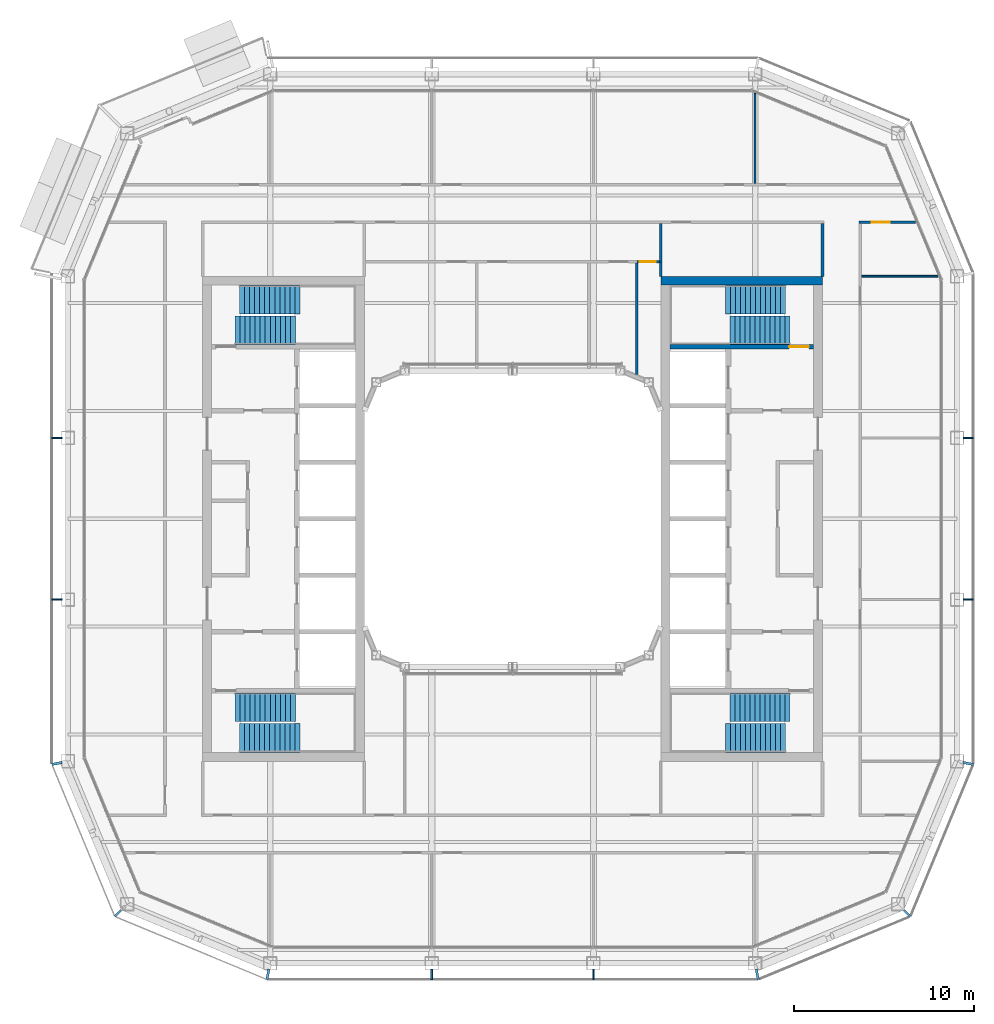
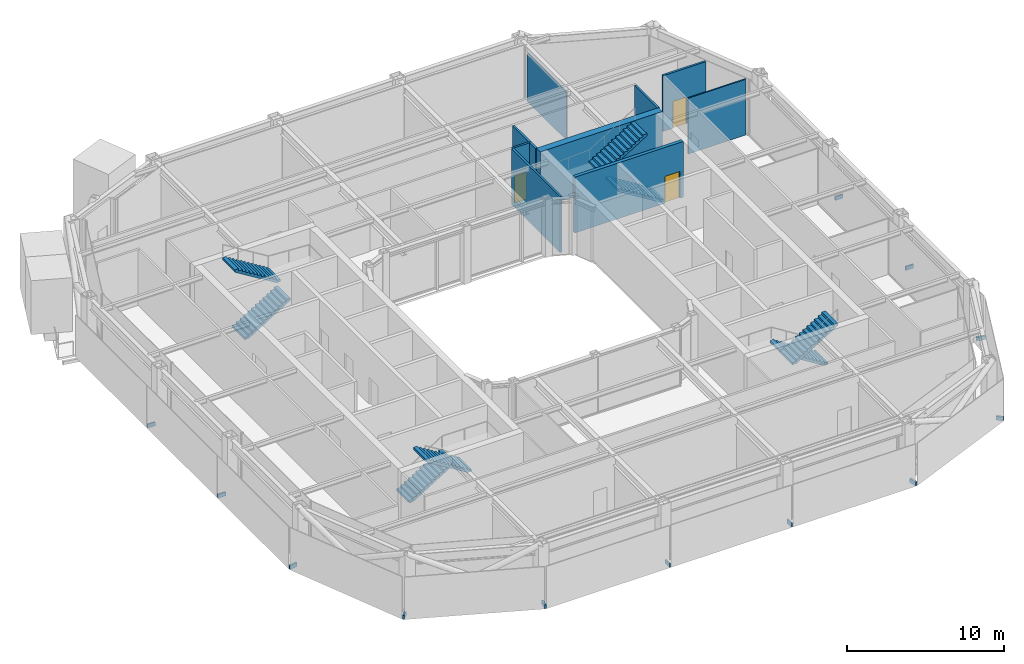
# One storey, part 14 of 21: 12 discrete accessories, 10 walls, 8 stair flights, 3 doors, 3 openings, 4 elements without a shape of their own.
"""IFC4 building model written with IfcOpenShell, lengths in metres."""

from ifc_helpers import new_model, si_unit, direction, frame, frame_2d, origin, origin_2d, place, context, subcontext, project, spatial, polyline, rectangle, outline, extrude, material, layer, layer_set, type_object, element, fill, aggregate, save


model = new_model("IFC4")

# Units and contexts
model_context = context("Model", 3, precision=1e-05, world=origin(), true_north=direction((0.0, 1.0)))
body_context = subcontext(model_context, "Body", "Model", "MODEL_VIEW")
ifc_project = project(units=[si_unit("LENGTHUNIT", "METRE"), si_unit("AREAUNIT", "SQUARE_METRE"), si_unit("VOLUMEUNIT", "CUBIC_METRE"), si_unit("PLANEANGLEUNIT", "RADIAN"), si_unit("MASSUNIT", "GRAM", prefix="KILO")], contexts=[model_context])

# Site, building, storey
site_placement = place(None, origin())
site = spatial("IfcSite", under=ifc_project, at=site_placement, CompositionType="ELEMENT")
building_placement = place(site_placement, origin())
building = spatial("IfcBuilding", under=site, at=building_placement, Name="Siwar Civic Tower", CompositionType="ELEMENT")
storey_placement = place(building_placement, frame((0.0, 0.0, 294.199951171875)))
storey = spatial("IfcBuildingStorey", under=building, at=storey_placement, Name="L63", CompositionType="ELEMENT", Elevation=294.199951171875)

# Wall, opening, door
ifc_material_1 = material(Name="Gypsum board on steel studs", Category="steel")
ifc_layer_1 = layer(ifc_material_1, 0.14990234375)
ifc_layer_set_1 = layer_set([ifc_layer_1], Name="Gypsum board on steel studs")
wall_type_1 = type_object("IfcWallType", Name="COMPARTMENT PARTITION 150 EI 60", PredefinedType="PARTITIONING", material=ifc_layer_set_1)
wall_1_placement = place(storey_placement, frame((6.919921875, 14.300048828125, 0.0), z_axis=(0.0, 0.0, 1.0), x_axis=(1.0, 0.0, 0.0)))
wall_1 = element("IfcWall", 1, at=wall_1_placement, inside=storey, type_object=wall_type_1, Name="L63/wall/P10", PredefinedType="PARTITIONING", context=body_context, shape_type="SweptSolid", body=[
    extrude(rectangle(XDim=1.255126953125, YDim=0.14990234375, at=frame_2d((0.62744140625, 0.0))), origin(), (0.0, 0.0, 1.0), 4.35009765625),
])
opening_1_placement = place(wall_1_placement, frame((0.14990234375, 0.0, 0.0)))
opening_1 = element("IfcOpeningElement", 2, at=opening_1_placement, cuts=wall_1, Name="Opening D4", PredefinedType="OPENING", context=body_context, shape_type="SweptSolid", body=[
    extrude(rectangle(XDim=0.89990234375, YDim=2.10009765625, at=frame_2d((0.449951171875, 1.050048828125))), frame((0.0, 0.0849609375, 0.0), z_axis=(0.0, -1.0, 0.0), x_axis=(1.0, 0.0, 0.0)), (0.0, 0.0, 1.0), 0.169921875),
])
ifc_material_2 = material(Name="Timber, painted", Category="wood")
door_type_1 = type_object("IfcDoorType", Name="DOOR 900 X 2100 FD60", OperationType="SINGLE_SWING_LEFT", PredefinedType="DOOR", material=ifc_material_2)
door_1_placement = place(opening_1_placement, origin())
door_1 = element("IfcDoor", 3, at=door_1_placement, inside=storey, type_object=door_type_1, Name="L63-D15", OperationType="SINGLE_SWING_LEFT", OverallHeight=2.10009765625, OverallWidth=0.89990234375, PredefinedType="DOOR", context=body_context, shape_type="SweptSolid", body=[
    extrude(rectangle(XDim=0.89990234375, YDim=2.10009765625, at=frame_2d((0.449951171875, 1.050048828125))), frame((0.0, 0.02490234375, 0.0), z_axis=(0.0, -1.0, 0.0), x_axis=(1.0, 0.0, 0.0)), (0.0, 0.0, 1.0), 0.050048828125),
])
fill(opening_1, door_1)

# Walls
wall_2_placement = place(storey_placement, frame((6.919921875, 8.029052734375, 0.0), z_axis=(0.0, 0.0, 1.0), x_axis=(0.0, 1.0, 0.0)))
element("IfcWall", 4, at=wall_2_placement, inside=storey, type_object=wall_type_1, Name="L63/wall/P29", PredefinedType="PARTITIONING", context=body_context, shape_type="SweptSolid", body=[
    extrude(rectangle(XDim=6.196044921875, YDim=0.14990234375, at=frame_2d((3.09814453125, 0.0))), origin(), (0.0, 0.0, 1.0), 4.35009765625),
])
wall_3_placement = place(storey_placement, frame((8.25, 13.5, 0.0), z_axis=(0.0, 0.0, 1.0), x_axis=(0.0, 1.0, 0.0)))
element("IfcWall", 5, at=wall_3_placement, inside=storey, type_object=wall_type_1, Name="L63/wall/P32", PredefinedType="PARTITIONING", context=body_context, shape_type="SweptSolid", body=[
    extrude(rectangle(XDim=0.800048828125, YDim=0.14990234375, at=frame_2d((0.39990234375, 0.0))), origin(), (0.0, 0.0, 1.0), 4.35009765625),
])

# Wall, opening, door
ifc_material_3 = material(Name="Concrete C60/75", Category="concrete")
ifc_layer_2 = layer(ifc_material_3, 0.25)
ifc_layer_set_2 = layer_set([ifc_layer_2], Name="Concrete C60/75")
wall_type_2 = type_object("IfcWallType", Name="CORE-WALL-RC250", PredefinedType="SHEAR", material=ifc_layer_set_2)
wall_4_placement = place(storey_placement, frame((8.75, 9.574951171875, 0.0), z_axis=(0.0, 0.0, 1.0), x_axis=(1.0, 0.0, 0.0)))
wall_4 = element("IfcWall", 6, at=wall_4_placement, inside=storey, type_object=wall_type_2, Name="Core wall E", PredefinedType="SHEAR", context=body_context, shape_type="SweptSolid", body=[
    extrude(rectangle(XDim=8.0, YDim=0.25, at=frame_2d((4.0, 0.0))), origin(), (0.0, 0.0, 1.0), 4.35009765625),
])
opening_2_placement = place(wall_4_placement, frame((6.64990234375, 0.0, 0.0)))
opening_2 = element("IfcOpeningElement", 7, at=opening_2_placement, cuts=wall_4, Name="Opening L63-CE03", PredefinedType="OPENING", context=body_context, shape_type="SweptSolid", body=[
    extrude(rectangle(XDim=1.10009765625, YDim=2.10009765625, at=frame_2d((0.550048828125, 1.050048828125))), frame((0.0, 0.135009765625, 0.0), z_axis=(0.0, -1.0, 0.0), x_axis=(1.0, 0.0, 0.0)), (0.0, 0.0, 1.0), 0.27001953125),
])
ifc_material_4 = material(Name="Steel door leaf", Category="steel")
door_type_2 = type_object("IfcDoorType", Name="CORE-DOOR-FD60S", OperationType="SINGLE_SWING_LEFT", PredefinedType="DOOR", material=ifc_material_4)
door_2_placement = place(opening_2_placement, origin())
door_2 = element("IfcDoor", 8, at=door_2_placement, inside=storey, type_object=door_type_2, Name="Stair door L63-CE03", OperationType="SINGLE_SWING_LEFT", OverallHeight=2.10009765625, OverallWidth=1.10009765625, PredefinedType="DOOR", context=body_context, shape_type="SweptSolid", body=[
    extrude(rectangle(XDim=1.10009765625, YDim=2.10009765625, at=frame_2d((0.550048828125, 1.050048828125))), frame((0.0, 0.02490234375, 0.0), z_axis=(0.0, -1.0, 0.0), x_axis=(1.0, 0.0, 0.0)), (0.0, 0.0, 1.0), 0.050048828125),
])
fill(opening_2, door_2)

# Wall
ifc_material_5 = material(Name="Concrete C60/75", Category="concrete")
ifc_layer_3 = layer(ifc_material_5, 0.5)
ifc_layer_set_3 = layer_set([ifc_layer_3], Name="Concrete C60/75")
wall_type_3 = type_object("IfcWallType", Name="CORE-WALL-RC500", PredefinedType="SHEAR", material=ifc_layer_set_3)
wall_5_placement = place(storey_placement, frame((8.25, 13.25, 0.0), z_axis=(0.0, 0.0, 1.0), x_axis=(1.0, 0.0, 0.0)))
element("IfcWall", 9, at=wall_5_placement, inside=storey, type_object=wall_type_3, Name="Core wall E", PredefinedType="SHEAR", context=body_context, shape_type="SweptSolid", body=[
    extrude(rectangle(XDim=9.0, YDim=0.5, at=frame_2d((4.5, 0.0))), origin(), (0.0, 0.0, 1.0), 4.35009765625),
])

# Wall, opening, door
ifc_material_6 = material(Name="Gypsum board on steel studs", Category="steel")
ifc_layer_4 = layer(ifc_material_6, 0.14990234375)
ifc_layer_set_4 = layer_set([ifc_layer_4], Name="Gypsum board on steel studs")
wall_type_4 = type_object("IfcWallType", Name="CORRIDOR PARTITION 150 EI 30", PredefinedType="PARTITIONING", material=ifc_layer_set_4)
wall_6_placement = place(storey_placement, frame((19.27490234375, 16.5, 0.0), z_axis=(0.0, 0.0, 1.0), x_axis=(1.0, 0.0, 0.0)))
wall_6 = element("IfcWall", 10, at=wall_6_placement, inside=storey, type_object=wall_type_4, Name="L63/wall/P13", PredefinedType="PARTITIONING", context=body_context, shape_type="SweptSolid", body=[
    extrude(rectangle(XDim=3.1611328125, YDim=0.14990234375, at=frame_2d((1.58056640625, 0.0))), origin(), (0.0, 0.0, 1.0), 4.35009765625),
])
opening_3_placement = place(wall_6_placement, frame((0.72509765625, 0.0, 0.0)))
opening_3 = element("IfcOpeningElement", 11, at=opening_3_placement, cuts=wall_6, Name="Opening D1", PredefinedType="OPENING", context=body_context, shape_type="SweptSolid", body=[
    extrude(rectangle(XDim=1.0, YDim=2.10009765625, at=frame_2d((0.5, 1.050048828125))), frame((0.0, 0.0849609375, 0.0), z_axis=(0.0, -1.0, 0.0), x_axis=(1.0, 0.0, 0.0)), (0.0, 0.0, 1.0), 0.169921875),
])
ifc_material_7 = material(Name="Timber, painted", Category="wood")
door_type_3 = type_object("IfcDoorType", Name="DOOR 1000 X 2100 FD30", OperationType="SINGLE_SWING_LEFT", PredefinedType="DOOR", material=ifc_material_7)
door_3_placement = place(opening_3_placement, origin())
door_3 = element("IfcDoor", 12, at=door_3_placement, inside=storey, type_object=door_type_3, Name="L63-D27", OperationType="SINGLE_SWING_LEFT", OverallHeight=2.10009765625, OverallWidth=1.0, PredefinedType="DOOR", context=body_context, shape_type="SweptSolid", body=[
    extrude(rectangle(XDim=1.0, YDim=2.10009765625, at=frame_2d((0.5, 1.050048828125))), frame((0.0, 0.02490234375, 0.0), z_axis=(0.0, -1.0, 0.0), x_axis=(1.0, 0.0, 0.0)), (0.0, 0.0, 1.0), 0.050048828125),
])
fill(opening_3, door_3)

# Walls
wall_7_placement = place(storey_placement, frame((8.25, 14.300048828125, 0.0), z_axis=(0.0, 0.0, 1.0), x_axis=(0.0, 1.0, 0.0)))
element("IfcWall", 13, at=wall_7_placement, inside=storey, type_object=wall_type_4, Name="L63/wall/P31", PredefinedType="PARTITIONING", context=body_context, shape_type="SweptSolid", body=[
    extrude(rectangle(XDim=2.125, YDim=0.14990234375, at=frame_2d((1.0625, 0.0))), origin(), (0.0, 0.0, 1.0), 4.35009765625),
])
wall_8_placement = place(storey_placement, frame((17.25, 13.5, 0.0), z_axis=(0.0, 0.0, 1.0), x_axis=(0.0, 1.0, 0.0)))
element("IfcWall", 14, at=wall_8_placement, inside=storey, type_object=wall_type_4, Name="L63/wall/P36", PredefinedType="PARTITIONING", context=body_context, shape_type="SweptSolid", body=[
    extrude(rectangle(XDim=2.925048828125, YDim=0.14990234375, at=frame_2d((1.46240234375, 0.0))), origin(), (0.0, 0.0, 1.0), 4.35009765625),
])
ifc_material_8 = material(Name="Gypsum board on steel studs", Category="steel")
ifc_layer_5 = layer(ifc_material_8, 0.10009765625)
ifc_layer_set_5 = layer_set([ifc_layer_5], Name="Gypsum board on steel studs")
wall_type_5 = type_object("IfcWallType", Name="PARTITION 100 GYPSUM", PredefinedType="PARTITIONING", material=ifc_layer_set_5)
wall_9_placement = place(storey_placement, frame((19.425048828125, 13.5, 0.0), z_axis=(0.0, 0.0, 1.0), x_axis=(1.0, 0.0, 0.0)))
element("IfcWall", 15, at=wall_9_placement, inside=storey, type_object=wall_type_5, Name="L63/wall/P08", PredefinedType="PARTITIONING", context=body_context, shape_type="SweptSolid", body=[
    extrude(rectangle(XDim=4.2529296875, YDim=0.10009765625, at=frame_2d((2.12646484375, 0.0))), origin(), (0.0, 0.0, 1.0), 4.35009765625),
])
wall_10_placement = place(storey_placement, frame((13.5, 18.675048828125, 0.0), z_axis=(0.0, 0.0, 1.0), x_axis=(0.0, 1.0, 0.0)))
element("IfcWall", 16, at=wall_10_placement, inside=storey, type_object=wall_type_5, Name="L63/wall/P34", PredefinedType="PARTITIONING", context=body_context, shape_type="SweptSolid", body=[
    extrude(rectangle(XDim=5.0029296875, YDim=0.10009765625, at=frame_2d((2.50146484375, 0.0))), origin(), (0.0, 0.0, 1.0), 3.75),
])

# Stair, stair flights
ifc_material_9 = material(Name="Concrete C40/50", Category="concrete")
stair_type = type_object("IfcStairType", Name="CORE-STAIR", PredefinedType="TWO_STRAIGHT_RUN_STAIR", material=ifc_material_9)
stair_1_placement = place(storey_placement, origin())
stair_1 = element("IfcStair", 17, at=stair_1_placement, inside=storey, type_object=stair_type, Name="Exit stair ST1", PredefinedType="TWO_STRAIGHT_RUN_STAIR")
ifc_material_10 = material(Name="Concrete C40/50", Category="concrete")
stair_flight_type = type_object("IfcStairFlightType", Name="CORE-STAIR-FLIGHT", PredefinedType="STRAIGHT", material=ifc_material_10)
stair_flight_1_placement = place(storey_placement, frame((-15.449951171875, 10.5, 0.0), z_axis=(0.0, 0.0, 1.0), x_axis=(1.0, 0.0, 0.0)))
stair_flight_1 = element("IfcStairFlight", 18, at=stair_flight_1_placement, type_object=stair_flight_type, Name="ST1 flight 1", NumberOfRisers=13, NumberOfTreads=12, PredefinedType="STRAIGHT", RiserHeight=0.173076923, TreadLength=0.28, context=body_context, shape_type="SweptSolid", body=[
    extrude(outline(polyline([(0.0, 0.0), (0.0, 0.173095703125), (0.280029296875, 0.173095703125), (0.280029296875, 0.34619140625), (0.56005859375, 0.34619140625), (0.56005859375, 0.519287109375), (0.840087890625, 0.519287109375), (0.840087890625, 0.6923828125), (1.1201171875, 0.6923828125), (1.1201171875, 0.865478515625), (1.39990234375, 0.865478515625), (1.39990234375, 1.03857421875), (1.679931640625, 1.03857421875), (1.679931640625, 1.21142578125), (1.9599609375, 1.21142578125), (1.9599609375, 1.384521484375), (2.239990234375, 1.384521484375), (2.239990234375, 1.5576171875), (2.52001953125, 1.5576171875), (2.52001953125, 1.730712890625), (2.800048828125, 1.730712890625), (2.800048828125, 1.90380859375), (3.080078125, 1.90380859375), (3.080078125, 2.076904296875), (3.360107421875, 2.076904296875), (3.360107421875, 2.25), (3.360107421875, 1.900634765625), (0.28515625, 0.0), (0.0, 0.0)])), frame((0.0, 0.800048828125, 0.0), z_axis=(0.0, -1.0, 0.0), x_axis=(1.0, 0.0, 0.0)), (0.0, 0.0, 1.0), 1.60009765625),
])
stair_flight_2_placement = place(storey_placement, frame((-11.840087890625, 12.199951171875, 2.25), z_axis=(0.0, 0.0, 1.0), x_axis=(-1.0, 0.0, 0.0)))
stair_flight_2 = element("IfcStairFlight", 19, at=stair_flight_2_placement, type_object=stair_flight_type, Name="ST1 flight 2", NumberOfRisers=13, NumberOfTreads=12, PredefinedType="STRAIGHT", RiserHeight=0.173076923, TreadLength=0.28, context=body_context, shape_type="SweptSolid", body=[
    extrude(outline(polyline([(0.0, 0.0), (0.0, 0.173095703125), (0.280029296875, 0.173095703125), (0.280029296875, 0.34619140625), (0.56005859375, 0.34619140625), (0.56005859375, 0.519287109375), (0.840087890625, 0.519287109375), (0.840087890625, 0.6923828125), (1.1201171875, 0.6923828125), (1.1201171875, 0.865478515625), (1.39990234375, 0.865478515625), (1.39990234375, 1.03857421875), (1.679931640625, 1.03857421875), (1.679931640625, 1.21142578125), (1.9599609375, 1.21142578125), (1.9599609375, 1.384521484375), (2.239990234375, 1.384521484375), (2.239990234375, 1.5576171875), (2.52001953125, 1.5576171875), (2.52001953125, 1.730712890625), (2.800048828125, 1.730712890625), (2.800048828125, 1.90380859375), (3.080078125, 1.90380859375), (3.080078125, 2.076904296875), (3.360107421875, 2.076904296875), (3.360107421875, 2.25), (3.360107421875, 1.900634765625), (0.28515625, 0.0), (0.0, 0.0)])), frame((0.0, 0.800048828125, 0.0), z_axis=(0.0, -1.0, 0.0), x_axis=(1.0, 0.0, 0.0)), (0.0, 0.0, 1.0), 1.60009765625),
])
aggregate(stair_1, [stair_flight_1, stair_flight_2])

stair_2_placement = place(storey_placement, origin())
stair_2 = element("IfcStair", 20, at=stair_2_placement, inside=storey, type_object=stair_type, Name="Exit stair ST2", PredefinedType="TWO_STRAIGHT_RUN_STAIR")
stair_flight_3_placement = place(storey_placement, frame((-15.449951171875, -10.5, 0.0), z_axis=(0.0, 0.0, 1.0), x_axis=(1.0, 0.0, 0.0)))
stair_flight_3 = element("IfcStairFlight", 21, at=stair_flight_3_placement, type_object=stair_flight_type, Name="ST2 flight 1", NumberOfRisers=13, NumberOfTreads=12, PredefinedType="STRAIGHT", RiserHeight=0.173076923, TreadLength=0.28, context=body_context, shape_type="SweptSolid", body=[
    extrude(outline(polyline([(0.0, 0.0), (0.0, 0.173095703125), (0.280029296875, 0.173095703125), (0.280029296875, 0.34619140625), (0.56005859375, 0.34619140625), (0.56005859375, 0.519287109375), (0.840087890625, 0.519287109375), (0.840087890625, 0.6923828125), (1.1201171875, 0.6923828125), (1.1201171875, 0.865478515625), (1.39990234375, 0.865478515625), (1.39990234375, 1.03857421875), (1.679931640625, 1.03857421875), (1.679931640625, 1.21142578125), (1.9599609375, 1.21142578125), (1.9599609375, 1.384521484375), (2.239990234375, 1.384521484375), (2.239990234375, 1.5576171875), (2.52001953125, 1.5576171875), (2.52001953125, 1.730712890625), (2.800048828125, 1.730712890625), (2.800048828125, 1.90380859375), (3.080078125, 1.90380859375), (3.080078125, 2.076904296875), (3.360107421875, 2.076904296875), (3.360107421875, 2.25), (3.360107421875, 1.900634765625), (0.28515625, 0.0), (0.0, 0.0)])), frame((0.0, 0.800048828125, 0.0), z_axis=(0.0, -1.0, 0.0), x_axis=(1.0, 0.0, 0.0)), (0.0, 0.0, 1.0), 1.60009765625),
])
stair_flight_4_placement = place(storey_placement, frame((-11.840087890625, -12.199951171875, 2.25), z_axis=(0.0, 0.0, 1.0), x_axis=(-1.0, 0.0, 0.0)))
stair_flight_4 = element("IfcStairFlight", 22, at=stair_flight_4_placement, type_object=stair_flight_type, Name="ST2 flight 2", NumberOfRisers=13, NumberOfTreads=12, PredefinedType="STRAIGHT", RiserHeight=0.173076923, TreadLength=0.28, context=body_context, shape_type="SweptSolid", body=[
    extrude(outline(polyline([(0.0, 0.0), (0.0, 0.173095703125), (0.280029296875, 0.173095703125), (0.280029296875, 0.34619140625), (0.56005859375, 0.34619140625), (0.56005859375, 0.519287109375), (0.840087890625, 0.519287109375), (0.840087890625, 0.6923828125), (1.1201171875, 0.6923828125), (1.1201171875, 0.865478515625), (1.39990234375, 0.865478515625), (1.39990234375, 1.03857421875), (1.679931640625, 1.03857421875), (1.679931640625, 1.21142578125), (1.9599609375, 1.21142578125), (1.9599609375, 1.384521484375), (2.239990234375, 1.384521484375), (2.239990234375, 1.5576171875), (2.52001953125, 1.5576171875), (2.52001953125, 1.730712890625), (2.800048828125, 1.730712890625), (2.800048828125, 1.90380859375), (3.080078125, 1.90380859375), (3.080078125, 2.076904296875), (3.360107421875, 2.076904296875), (3.360107421875, 2.25), (3.360107421875, 1.900634765625), (0.28515625, 0.0), (0.0, 0.0)])), frame((0.0, 0.800048828125, 0.0), z_axis=(0.0, -1.0, 0.0), x_axis=(1.0, 0.0, 0.0)), (0.0, 0.0, 1.0), 1.60009765625),
])
aggregate(stair_2, [stair_flight_3, stair_flight_4])

stair_3_placement = place(storey_placement, origin())
stair_3 = element("IfcStair", 23, at=stair_3_placement, inside=storey, type_object=stair_type, Name="Exit stair ST3", PredefinedType="TWO_STRAIGHT_RUN_STAIR")
stair_flight_5_placement = place(storey_placement, frame((15.449951171875, 10.5, 0.0), z_axis=(0.0, 0.0, 1.0), x_axis=(-1.0, 0.0, 0.0)))
stair_flight_5 = element("IfcStairFlight", 24, at=stair_flight_5_placement, type_object=stair_flight_type, Name="ST3 flight 1", NumberOfRisers=13, NumberOfTreads=12, PredefinedType="STRAIGHT", RiserHeight=0.173076923, TreadLength=0.28, context=body_context, shape_type="SweptSolid", body=[
    extrude(outline(polyline([(0.0, 0.0), (0.0, 0.173095703125), (0.280029296875, 0.173095703125), (0.280029296875, 0.34619140625), (0.56005859375, 0.34619140625), (0.56005859375, 0.519287109375), (0.840087890625, 0.519287109375), (0.840087890625, 0.6923828125), (1.1201171875, 0.6923828125), (1.1201171875, 0.865478515625), (1.39990234375, 0.865478515625), (1.39990234375, 1.03857421875), (1.679931640625, 1.03857421875), (1.679931640625, 1.21142578125), (1.9599609375, 1.21142578125), (1.9599609375, 1.384521484375), (2.239990234375, 1.384521484375), (2.239990234375, 1.5576171875), (2.52001953125, 1.5576171875), (2.52001953125, 1.730712890625), (2.800048828125, 1.730712890625), (2.800048828125, 1.90380859375), (3.080078125, 1.90380859375), (3.080078125, 2.076904296875), (3.360107421875, 2.076904296875), (3.360107421875, 2.25), (3.360107421875, 1.900634765625), (0.28515625, 0.0), (0.0, 0.0)])), frame((0.0, 0.800048828125, 0.0), z_axis=(0.0, -1.0, 0.0), x_axis=(1.0, 0.0, 0.0)), (0.0, 0.0, 1.0), 1.60009765625),
])
stair_flight_6_placement = place(storey_placement, frame((11.840087890625, 12.199951171875, 2.25), z_axis=(0.0, 0.0, 1.0), x_axis=(1.0, 0.0, 0.0)))
stair_flight_6 = element("IfcStairFlight", 25, at=stair_flight_6_placement, type_object=stair_flight_type, Name="ST3 flight 2", NumberOfRisers=13, NumberOfTreads=12, PredefinedType="STRAIGHT", RiserHeight=0.173076923, TreadLength=0.28, context=body_context, shape_type="SweptSolid", body=[
    extrude(outline(polyline([(0.0, 0.0), (0.0, 0.173095703125), (0.280029296875, 0.173095703125), (0.280029296875, 0.34619140625), (0.56005859375, 0.34619140625), (0.56005859375, 0.519287109375), (0.840087890625, 0.519287109375), (0.840087890625, 0.6923828125), (1.1201171875, 0.6923828125), (1.1201171875, 0.865478515625), (1.39990234375, 0.865478515625), (1.39990234375, 1.03857421875), (1.679931640625, 1.03857421875), (1.679931640625, 1.21142578125), (1.9599609375, 1.21142578125), (1.9599609375, 1.384521484375), (2.239990234375, 1.384521484375), (2.239990234375, 1.5576171875), (2.52001953125, 1.5576171875), (2.52001953125, 1.730712890625), (2.800048828125, 1.730712890625), (2.800048828125, 1.90380859375), (3.080078125, 1.90380859375), (3.080078125, 2.076904296875), (3.360107421875, 2.076904296875), (3.360107421875, 2.25), (3.360107421875, 1.900634765625), (0.28515625, 0.0), (0.0, 0.0)])), frame((0.0, 0.800048828125, 0.0), z_axis=(0.0, -1.0, 0.0), x_axis=(1.0, 0.0, 0.0)), (0.0, 0.0, 1.0), 1.60009765625),
])
aggregate(stair_3, [stair_flight_5, stair_flight_6])

stair_4_placement = place(storey_placement, origin())
stair_4 = element("IfcStair", 26, at=stair_4_placement, inside=storey, type_object=stair_type, Name="Exit stair ST4", PredefinedType="TWO_STRAIGHT_RUN_STAIR")
stair_flight_7_placement = place(storey_placement, frame((15.449951171875, -10.5, 0.0), z_axis=(0.0, 0.0, 1.0), x_axis=(-1.0, 0.0, 0.0)))
stair_flight_7 = element("IfcStairFlight", 27, at=stair_flight_7_placement, type_object=stair_flight_type, Name="ST4 flight 1", NumberOfRisers=13, NumberOfTreads=12, PredefinedType="STRAIGHT", RiserHeight=0.173076923, TreadLength=0.28, context=body_context, shape_type="SweptSolid", body=[
    extrude(outline(polyline([(0.0, 0.0), (0.0, 0.173095703125), (0.280029296875, 0.173095703125), (0.280029296875, 0.34619140625), (0.56005859375, 0.34619140625), (0.56005859375, 0.519287109375), (0.840087890625, 0.519287109375), (0.840087890625, 0.6923828125), (1.1201171875, 0.6923828125), (1.1201171875, 0.865478515625), (1.39990234375, 0.865478515625), (1.39990234375, 1.03857421875), (1.679931640625, 1.03857421875), (1.679931640625, 1.21142578125), (1.9599609375, 1.21142578125), (1.9599609375, 1.384521484375), (2.239990234375, 1.384521484375), (2.239990234375, 1.5576171875), (2.52001953125, 1.5576171875), (2.52001953125, 1.730712890625), (2.800048828125, 1.730712890625), (2.800048828125, 1.90380859375), (3.080078125, 1.90380859375), (3.080078125, 2.076904296875), (3.360107421875, 2.076904296875), (3.360107421875, 2.25), (3.360107421875, 1.900634765625), (0.28515625, 0.0), (0.0, 0.0)])), frame((0.0, 0.800048828125, 0.0), z_axis=(0.0, -1.0, 0.0), x_axis=(1.0, 0.0, 0.0)), (0.0, 0.0, 1.0), 1.60009765625),
])
stair_flight_8_placement = place(storey_placement, frame((11.840087890625, -12.199951171875, 2.25), z_axis=(0.0, 0.0, 1.0), x_axis=(1.0, 0.0, 0.0)))
stair_flight_8 = element("IfcStairFlight", 28, at=stair_flight_8_placement, type_object=stair_flight_type, Name="ST4 flight 2", NumberOfRisers=13, NumberOfTreads=12, PredefinedType="STRAIGHT", RiserHeight=0.173076923, TreadLength=0.28, context=body_context, shape_type="SweptSolid", body=[
    extrude(outline(polyline([(0.0, 0.0), (0.0, 0.173095703125), (0.280029296875, 0.173095703125), (0.280029296875, 0.34619140625), (0.56005859375, 0.34619140625), (0.56005859375, 0.519287109375), (0.840087890625, 0.519287109375), (0.840087890625, 0.6923828125), (1.1201171875, 0.6923828125), (1.1201171875, 0.865478515625), (1.39990234375, 0.865478515625), (1.39990234375, 1.03857421875), (1.679931640625, 1.03857421875), (1.679931640625, 1.21142578125), (1.9599609375, 1.21142578125), (1.9599609375, 1.384521484375), (2.239990234375, 1.384521484375), (2.239990234375, 1.5576171875), (2.52001953125, 1.5576171875), (2.52001953125, 1.730712890625), (2.800048828125, 1.730712890625), (2.800048828125, 1.90380859375), (3.080078125, 1.90380859375), (3.080078125, 2.076904296875), (3.360107421875, 2.076904296875), (3.360107421875, 2.25), (3.360107421875, 1.900634765625), (0.28515625, 0.0), (0.0, 0.0)])), frame((0.0, 0.800048828125, 0.0), z_axis=(0.0, -1.0, 0.0), x_axis=(1.0, 0.0, 0.0)), (0.0, 0.0, 1.0), 1.60009765625),
])
aggregate(stair_4, [stair_flight_7, stair_flight_8])

# Discrete accessories
ifc_material_11 = material(Name="Stainless steel 316", Category="steel")
discrete_accessory_type = type_object("IfcDiscreteAccessoryType", Name="ENV-BRACKET", PredefinedType="BRACKET", material=ifc_material_11)
for number, where, z_axis, x_axis, name in (
    (29, (25.364990234375, -4.5, -0.14990234375), (0.0, 0.0, 1.0), (1.0, 0.0, 0.0), "Bracket outer skin joint E-01"),
    (30, (25.364990234375, 4.5, -0.14990234375), (0.0, 0.0, 1.0), (1.0, 0.0, 0.0), "Bracket outer skin joint E-02"),
    (31, (-4.5, -25.364990234375, -0.14990234375), (0.0, 0.0, 1.0), (0.0, -1.0, 0.0), "Bracket outer skin joint S-01"),
    (32, (4.5, -25.364990234375, -0.14990234375), (0.0, 0.0, 1.0), (0.0, -1.0, 0.0), "Bracket outer skin joint S-02"),
):
    element("IfcDiscreteAccessory", number, at=place(storey_placement, frame(where, z_axis=z_axis, x_axis=x_axis)), inside=storey, type_object=discrete_accessory_type, Name=name, PredefinedType="BRACKET", context=body_context, shape_type="SweptSolid", body=[
        extrude(rectangle(XDim=0.570068359375, YDim=0.10009765625, at=origin_2d()), origin(), (0.0, 0.0, 1.0), 0.300048828125),
    ])
for number, where, z_axis, x_axis, name in (
    (33, (-13.622314453125, -25.365234375, -0.14990234375), (0.0, 0.0, 1.0), (-0.195090322016, -0.980785280403, 0.0), "Bracket outer skin joint V00"),
    (34, (13.622314453125, -25.365234375, -0.14990234375), (0.0, 0.0, 1.0), (0.195090322016, -0.980785280403, 0.0), "Bracket outer skin joint V01"),
):
    element("IfcDiscreteAccessory", number, at=place(storey_placement, frame(where, z_axis=z_axis, x_axis=x_axis)), inside=storey, type_object=discrete_accessory_type, Name=name, PredefinedType="BRACKET", context=body_context, shape_type="SweptSolid", body=[
        extrude(rectangle(XDim=0.580810546875, YDim=0.13720703125, at=origin_2d()), origin(), (0.0, 0.0, 1.0), 0.300048828125),
    ])
discrete_accessory_1_placement = place(storey_placement, frame((21.96728515625, -21.96728515625, -0.14990234375), z_axis=(0.0, 0.0, 1.0), x_axis=(0.707106781187, -0.707106781187, 0.0)))
element("IfcDiscreteAccessory", 35, at=discrete_accessory_1_placement, inside=storey, type_object=discrete_accessory_type, Name="Bracket outer skin joint V02", PredefinedType="BRACKET", context=body_context, shape_type="SweptSolid", body=[
    extrude(rectangle(XDim=0.499267578125, YDim=0.12939453125, at=origin_2d()), origin(), (0.0, 0.0, 1.0), 0.300048828125),
])
for number, where, z_axis, x_axis, name in (
    (36, (25.365234375, -13.622314453125, -0.14990234375), (0.0, 0.0, 1.0), (0.980785280403, -0.195090322016, 0.0), "Bracket outer skin joint V03"),
    (37, (-25.365234375, -13.622314453125, -0.14990234375), (0.0, 0.0, 1.0), (-0.980785280403, -0.195090322016, 0.0), "Bracket outer skin joint V10"),
):
    element("IfcDiscreteAccessory", number, at=place(storey_placement, frame(where, z_axis=z_axis, x_axis=x_axis)), inside=storey, type_object=discrete_accessory_type, Name=name, PredefinedType="BRACKET", context=body_context, shape_type="SweptSolid", body=[
        extrude(rectangle(XDim=0.580810546875, YDim=0.13720703125, at=origin_2d()), origin(), (0.0, 0.0, 1.0), 0.300048828125),
    ])
discrete_accessory_2_placement = place(storey_placement, frame((-21.96728515625, -21.96728515625, -0.14990234375), z_axis=(0.0, 0.0, 1.0), x_axis=(-0.707106781187, -0.707106781187, 0.0)))
element("IfcDiscreteAccessory", 38, at=discrete_accessory_2_placement, inside=storey, type_object=discrete_accessory_type, Name="Bracket outer skin joint V11", PredefinedType="BRACKET", context=body_context, shape_type="SweptSolid", body=[
    extrude(rectangle(XDim=0.499267578125, YDim=0.12939453125, at=origin_2d()), origin(), (0.0, 0.0, 1.0), 0.300048828125),
])
for number, where, z_axis, x_axis, name in (
    (39, (-25.364990234375, 4.5, -0.14990234375), (0.0, 0.0, 1.0), (-1.0, 0.0, 0.0), "Bracket outer skin joint W-01"),
    (40, (-25.364990234375, -4.5, -0.14990234375), (0.0, 0.0, 1.0), (-1.0, 0.0, 0.0), "Bracket outer skin joint W-02"),
):
    element("IfcDiscreteAccessory", number, at=place(storey_placement, frame(where, z_axis=z_axis, x_axis=x_axis)), inside=storey, type_object=discrete_accessory_type, Name=name, PredefinedType="BRACKET", context=body_context, shape_type="SweptSolid", body=[
        extrude(rectangle(XDim=0.570068359375, YDim=0.10009765625, at=origin_2d()), origin(), (0.0, 0.0, 1.0), 0.300048828125),
    ])

save(model, "model.ifc")
